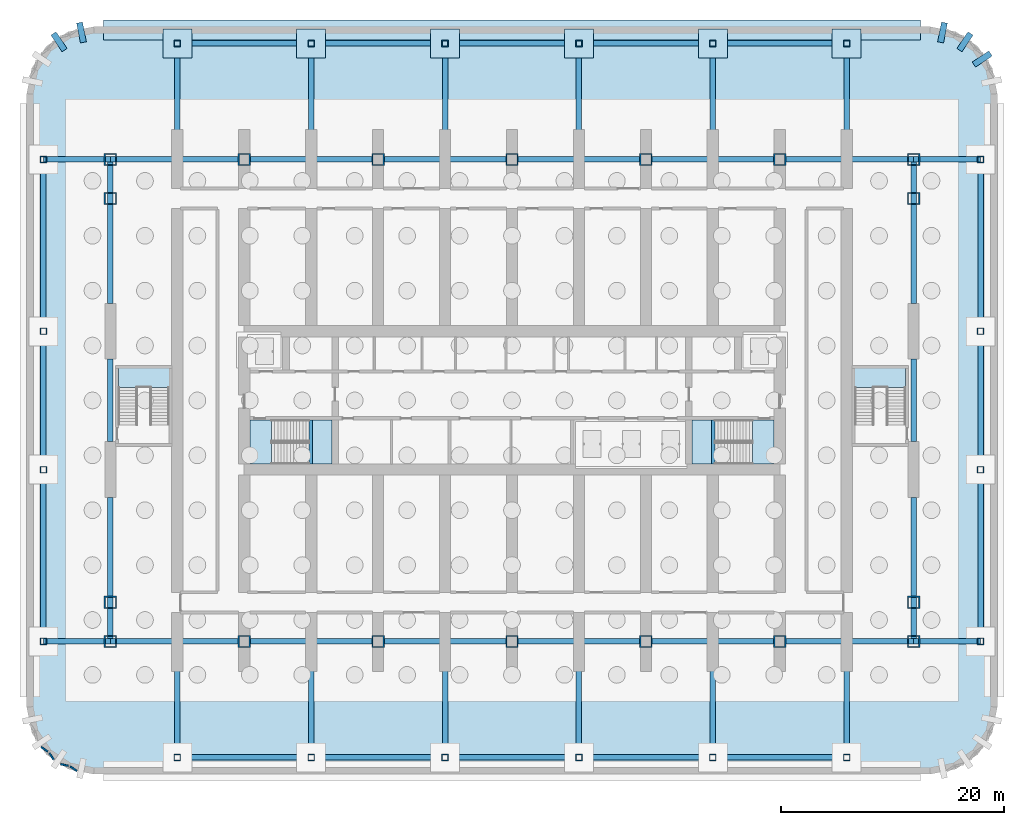
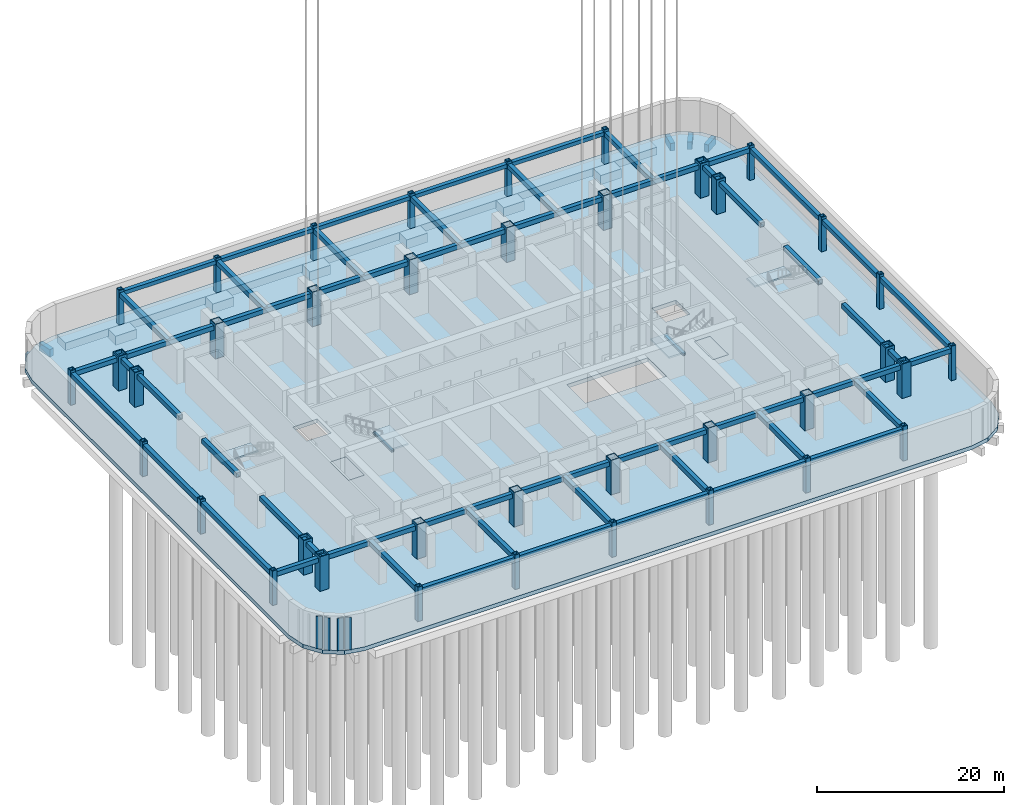
# One storey, part 2 of 28: 52 beams, 38 columns, 12 footings, 7 slabs, 4 walls, 4 elements without a shape of their own.
"""IFC4 building model written with IfcOpenShell, lengths in metres."""

from ifc_helpers import new_model, si_unit, direction, frame, frame_2d, origin, origin_2d, place, context, subcontext, project, spatial, polyline, rectangle, hollow_rectangle, outline, extrude, material, layer, layer_set, material_profile, profile_set, type_object, element, aggregate, save


model = new_model("IFC4")

# Units and contexts
model_context = context("Model", 3, precision=1e-05, world=origin(), true_north=direction((0.0, 1.0)))
body_context = subcontext(model_context, "Body", "Model", "MODEL_VIEW")
ifc_project = project(units=[si_unit("LENGTHUNIT", "METRE"), si_unit("AREAUNIT", "SQUARE_METRE"), si_unit("VOLUMEUNIT", "CUBIC_METRE"), si_unit("PLANEANGLEUNIT", "RADIAN"), si_unit("MASSUNIT", "GRAM", prefix="KILO")], contexts=[model_context])

# Site, building, storey
site_placement = place(None, origin())
site = spatial("IfcSite", under=ifc_project, at=site_placement, CompositionType="ELEMENT")
building_placement = place(site_placement, origin())
building = spatial("IfcBuilding", under=site, at=building_placement, Name="Orbita Commons", CompositionType="ELEMENT")
storey_placement = place(building_placement, frame((0.0, 0.0, -9.0)))
storey = spatial("IfcBuildingStorey", under=building, at=storey_placement, Name="L-02", CompositionType="ELEMENT", Elevation=-9.0)

# Footings
ifc_material_1 = material(Name="Concrete C40/50", Category="concrete")
footing_type_1 = type_object("IfcFootingType", Name="Pad footing 2600x2600x1200", PredefinedType="PAD_FOOTING", material=ifc_material_1)
for number, where, z_axis, x_axis, name in (
    (1, (12.0, 64.0, -1.7001953125), (0.0, 0.0, 1.0), (1.0, 0.0, 0.0), "Pad footing 2-3F"),
    (2, (24.0, 64.0, -1.7001953125), (0.0, 0.0, 1.0), (1.0, 0.0, 0.0), "Pad footing 2-5F"),
    (3, (36.0, 64.0, -1.7001953125), (0.0, 0.0, 1.0), (1.0, 0.0, 0.0), "Pad footing 2-7F"),
    (4, (48.0, 64.0, -1.7001953125), (0.0, 0.0, 1.0), (1.0, 0.0, 0.0), "Pad footing 2-9F"),
    (5, (60.0, 64.0, -1.7001953125), (0.0, 0.0, 1.0), (1.0, 0.0, 0.0), "Pad footing 2-11F"),
    (6, (72.0, 64.0, -1.7001953125), (0.0, 0.0, 1.0), (1.0, 0.0, 0.0), "Pad footing 2-13F"),
):
    element("IfcFooting", number, at=place(storey_placement, frame(where, z_axis=z_axis, x_axis=x_axis)), inside=storey, type_object=footing_type_1, Name=name, PredefinedType="PAD_FOOTING", context=body_context, shape_type="SweptSolid", body=[
        extrude(rectangle(XDim=2.60009765625, YDim=2.60009765625, at=origin_2d()), origin(), (0.0, 0.0, 1.0), 1.199951171875),
    ])
ifc_material_2 = material(Name="Concrete C40/50", Category="concrete")
footing_type_2 = type_object("IfcFootingType", Name="Strip footing 1800x1000", PredefinedType="STRIP_FOOTING", material=ifc_material_2)
footing_1_placement = place(storey_placement, frame((0.0, 0.0, -1.5)))
element("IfcFooting", 7, at=footing_1_placement, inside=storey, type_object=footing_type_2, Name="Strip footing 7", PredefinedType="STRIP_FOOTING", context=body_context, shape_type="SweptSolid", body=[
    extrude(outline(polyline([(85.042236328125, 62.877685546875), (84.741455078125, 63.32763671875), (83.244873046875, 62.32763671875), (83.54541015625, 61.877685546875), (85.042236328125, 62.877685546875)])), origin(), (0.0, 0.0, 1.0), 1.0),
])
footing_2_placement = place(storey_placement, frame((0.0, 0.0, -1.5)))
element("IfcFooting", 8, at=footing_2_placement, inside=storey, type_object=footing_type_2, Name="Strip footing 8", PredefinedType="STRIP_FOOTING", context=body_context, shape_type="SweptSolid", body=[
    extrude(outline(polyline([(83.32763671875, 64.741455078125), (82.877685546875, 65.042236328125), (81.877685546875, 63.54541015625), (82.32763671875, 63.244873046875), (83.32763671875, 64.741455078125)])), origin(), (0.0, 0.0, 1.0), 1.0),
])
footing_3_placement = place(storey_placement, frame((0.0, 0.0, -1.5)))
element("IfcFooting", 9, at=footing_3_placement, inside=storey, type_object=footing_type_2, Name="Strip footing 9", PredefinedType="STRIP_FOOTING", context=body_context, shape_type="SweptSolid", body=[
    extrude(outline(polyline([(81.030517578125, 65.807373046875), (80.499755859375, 65.912841796875), (80.148681640625, 64.1474609375), (80.67919921875, 64.0419921875), (81.030517578125, 65.807373046875)])), origin(), (0.0, 0.0, 1.0), 1.0),
])
footing_4_placement = place(storey_placement, frame((0.0, 0.0, -1.5)))
element("IfcFooting", 10, at=footing_4_placement, inside=storey, type_object=footing_type_2, Name="Strip footing 10", PredefinedType="STRIP_FOOTING", context=body_context, shape_type="SweptSolid", body=[
    extrude(outline(polyline([(78.60009765625, 66.10009765625), (5.39990234375, 66.10009765625), (5.39990234375, 64.300048828125), (78.60009765625, 64.300048828125), (78.60009765625, 66.10009765625)])), origin(), (0.0, 0.0, 1.0), 1.0),
])
footing_5_placement = place(storey_placement, frame((0.0, 0.0, -1.5)))
element("IfcFooting", 11, at=footing_5_placement, inside=storey, type_object=footing_type_2, Name="Strip footing 11", PredefinedType="STRIP_FOOTING", context=body_context, shape_type="SweptSolid", body=[
    extrude(outline(polyline([(3.500244140625, 65.912841796875), (2.969482421875, 65.807373046875), (3.32080078125, 64.0419921875), (3.851318359375, 64.1474609375), (3.500244140625, 65.912841796875)])), origin(), (0.0, 0.0, 1.0), 1.0),
])
footing_6_placement = place(storey_placement, frame((0.0, 0.0, -1.5)))
element("IfcFooting", 12, at=footing_6_placement, inside=storey, type_object=footing_type_2, Name="Strip footing 12", PredefinedType="STRIP_FOOTING", context=body_context, shape_type="SweptSolid", body=[
    extrude(outline(polyline([(1.122314453125, 65.042236328125), (0.67236328125, 64.741455078125), (1.67236328125, 63.244873046875), (2.122314453125, 63.54541015625), (1.122314453125, 65.042236328125)])), origin(), (0.0, 0.0, 1.0), 1.0),
])

# Columns
ifc_material_3 = material(Name="Steel ASTM A572 Gr 42 welded plate", Category="steel")
ifc_material_profile_1 = material_profile(ifc_material_3, hollow_rectangle(XDim=1.10009765625, YDim=1.10009765625, WallThickness=0.110107421875, at=origin_2d()), Name="BOX 1100x1100x110")
ifc_profile_set_1 = profile_set([ifc_material_profile_1], Name="Steel ASTM A572 Gr 42 welded plate")
column_type_1 = type_object("IfcColumnType", Name="Steel column BOX 1100x1100x110", PredefinedType="COLUMN", material=ifc_profile_set_1)
for number, where, z_axis, x_axis, name in (
    (13, (6.0, 10.39990234375, -0.5), (0.0, 0.0, 1.0), (1.0, 0.0, 0.0), "Column 2/B L-02"),
    (14, (6.0, 53.60009765625, -0.5), (0.0, 0.0, 1.0), (1.0, 0.0, 0.0), "Column 2/E L-02"),
    (15, (18.0, 10.39990234375, -0.5), (0.0, 0.0, 1.0), (1.0, 0.0, 0.0), "Column 4/B L-02"),
    (16, (18.0, 53.60009765625, -0.5), (0.0, 0.0, 1.0), (1.0, 0.0, 0.0), "Column 4/E L-02"),
    (17, (30.0, 10.39990234375, -0.5), (0.0, 0.0, 1.0), (1.0, 0.0, 0.0), "Column 6/B L-02"),
    (18, (30.0, 53.60009765625, -0.5), (0.0, 0.0, 1.0), (1.0, 0.0, 0.0), "Column 6/E L-02"),
    (19, (42.0, 10.39990234375, -0.5), (0.0, 0.0, 1.0), (1.0, 0.0, 0.0), "Column 8/B L-02"),
    (20, (42.0, 53.60009765625, -0.5), (0.0, 0.0, 1.0), (1.0, 0.0, 0.0), "Column 8/E L-02"),
    (21, (54.0, 10.39990234375, -0.5), (0.0, 0.0, 1.0), (1.0, 0.0, 0.0), "Column 10/B L-02"),
    (22, (54.0, 53.60009765625, -0.5), (0.0, 0.0, 1.0), (1.0, 0.0, 0.0), "Column 10/E L-02"),
    (23, (66.0, 10.39990234375, -0.5), (0.0, 0.0, 1.0), (1.0, 0.0, 0.0), "Column 12/B L-02"),
    (24, (66.0, 53.60009765625, -0.5), (0.0, 0.0, 1.0), (1.0, 0.0, 0.0), "Column 12/E L-02"),
    (25, (78.0, 10.39990234375, -0.5), (0.0, 0.0, 1.0), (1.0, 0.0, 0.0), "Column 14/B L-02"),
    (26, (78.0, 53.60009765625, -0.5), (0.0, 0.0, 1.0), (1.0, 0.0, 0.0), "Column 14/E L-02"),
    (27, (6.0, 13.89990234375, -0.5), (0.0, 0.0, 1.0), (1.0, 0.0, 0.0), "Column 2/13.9 L-02"),
    (28, (6.0, 50.10009765625, -0.5), (0.0, 0.0, 1.0), (1.0, 0.0, 0.0), "Column 2/50.1 L-02"),
    (29, (78.0, 13.89990234375, -0.5), (0.0, 0.0, 1.0), (1.0, 0.0, 0.0), "Column 14/13.9 L-02"),
    (30, (78.0, 50.10009765625, -0.5), (0.0, 0.0, 1.0), (1.0, 0.0, 0.0), "Column 14/50.1 L-02"),
):
    element("IfcColumn", number, at=place(storey_placement, frame(where, z_axis=z_axis, x_axis=x_axis)), inside=storey, type_object=column_type_1, Name=name, PredefinedType="COLUMN", context=body_context, shape_type="SweptSolid", body=[
        extrude(hollow_rectangle(XDim=1.10009765625, YDim=1.10009765625, WallThickness=0.110107421875, at=origin_2d()), origin(), (0.0, 0.0, 1.0), 5.0),
    ])
ifc_material_4 = material(Name="Steel ASTM A572 Gr 50 welded plate", Category="steel")
ifc_material_profile_2 = material_profile(ifc_material_4, hollow_rectangle(XDim=0.60009765625, YDim=0.60009765625, WallThickness=0.06005859375, at=origin_2d()), Name="BOX 600x600x60")
ifc_profile_set_2 = profile_set([ifc_material_profile_2], Name="Steel ASTM A572 Gr 50 welded plate")
column_type_2 = type_object("IfcColumnType", Name="Steel column BOX 600x600x60", PredefinedType="COLUMN", material=ifc_profile_set_2)
for number, where, z_axis, x_axis, name in (
    (31, (12.0, 0.0, -0.5), (0.0, 0.0, 1.0), (1.0, 0.0, 0.0), "Column 3/A L-02"),
    (32, (12.0, 64.0, -0.5), (0.0, 0.0, 1.0), (1.0, 0.0, 0.0), "Column 3/F L-02"),
    (33, (24.0, 0.0, -0.5), (0.0, 0.0, 1.0), (1.0, 0.0, 0.0), "Column 5/A L-02"),
    (34, (24.0, 64.0, -0.5), (0.0, 0.0, 1.0), (1.0, 0.0, 0.0), "Column 5/F L-02"),
    (35, (36.0, 0.0, -0.5), (0.0, 0.0, 1.0), (1.0, 0.0, 0.0), "Column 7/A L-02"),
    (36, (36.0, 64.0, -0.5), (0.0, 0.0, 1.0), (1.0, 0.0, 0.0), "Column 7/F L-02"),
    (37, (48.0, 0.0, -0.5), (0.0, 0.0, 1.0), (1.0, 0.0, 0.0), "Column 9/A L-02"),
    (38, (48.0, 64.0, -0.5), (0.0, 0.0, 1.0), (1.0, 0.0, 0.0), "Column 9/F L-02"),
    (39, (60.0, 0.0, -0.5), (0.0, 0.0, 1.0), (1.0, 0.0, 0.0), "Column 11/A L-02"),
    (40, (60.0, 64.0, -0.5), (0.0, 0.0, 1.0), (1.0, 0.0, 0.0), "Column 11/F L-02"),
    (41, (72.0, 0.0, -0.5), (0.0, 0.0, 1.0), (1.0, 0.0, 0.0), "Column 13/A L-02"),
    (42, (72.0, 64.0, -0.5), (0.0, 0.0, 1.0), (1.0, 0.0, 0.0), "Column 13/F L-02"),
    (43, (0.0, 10.39990234375, -0.5), (0.0, 0.0, 1.0), (1.0, 0.0, 0.0), "Column 1/B L-02"),
    (44, (0.0, 25.800048828125, -0.5), (0.0, 0.0, 1.0), (1.0, 0.0, 0.0), "Column 1/C L-02"),
    (45, (0.0, 38.199951171875, -0.5), (0.0, 0.0, 1.0), (1.0, 0.0, 0.0), "Column 1/D L-02"),
    (46, (0.0, 53.60009765625, -0.5), (0.0, 0.0, 1.0), (1.0, 0.0, 0.0), "Column 1/E L-02"),
    (47, (84.0, 10.39990234375, -0.5), (0.0, 0.0, 1.0), (1.0, 0.0, 0.0), "Column 15/B L-02"),
    (48, (84.0, 25.800048828125, -0.5), (0.0, 0.0, 1.0), (1.0, 0.0, 0.0), "Column 15/C L-02"),
    (49, (84.0, 38.199951171875, -0.5), (0.0, 0.0, 1.0), (1.0, 0.0, 0.0), "Column 15/D L-02"),
    (50, (84.0, 53.60009765625, -0.5), (0.0, 0.0, 1.0), (1.0, 0.0, 0.0), "Column 15/E L-02"),
):
    element("IfcColumn", number, at=place(storey_placement, frame(where, z_axis=z_axis, x_axis=x_axis)), inside=storey, type_object=column_type_2, Name=name, PredefinedType="COLUMN", context=body_context, shape_type="SweptSolid", body=[
        extrude(hollow_rectangle(XDim=0.60009765625, YDim=0.60009765625, WallThickness=0.06005859375, at=origin_2d()), origin(), (0.0, 0.0, 1.0), 5.0),
    ])

# Beams
ifc_material_5 = material(Name="Steel ASTM A572 Gr 50 welded plate", Category="steel")
ifc_material_profile_3 = material_profile(ifc_material_5, hollow_rectangle(XDim=0.300048828125, YDim=0.25, WallThickness=0.02490234375, at=origin_2d()), Name="BOX 250x300x25")
ifc_profile_set_3 = profile_set([ifc_material_profile_3], Name="Steel ASTM A572 Gr 50 welded plate")
beam_type_1 = type_object("IfcBeamType", Name="Stair landing beam steel BOX 250x300x25", PredefinedType="BEAM", material=ifc_profile_set_3)
for number, where, z_axis, x_axis, name in (
    (51, (23.9599609375, 26.284912109375, 1.925048828125), (0.0, 1.0, 0.0), (-1.0, 0.0, 0.0), "Stair S1 landing beam L-02 1"),
    (52, (60.0400390625, 26.284912109375, 1.925048828125), (0.0, 1.0, 0.0), (-1.0, 0.0, 0.0), "Stair S2 landing beam L-02 1"),
):
    element("IfcBeam", number, at=place(storey_placement, frame(where, z_axis=z_axis, x_axis=x_axis)), inside=storey, type_object=beam_type_1, Name=name, PredefinedType="BEAM", context=body_context, shape_type="SweptSolid", body=[
        extrude(hollow_rectangle(XDim=0.300048828125, YDim=0.25, WallThickness=0.02490234375, at=origin_2d()), origin(), (0.0, 0.0, 1.0), 3.97998046875),
    ])
ifc_material_6 = material(Name="Steel ASTM A572 Gr 50 welded plate", Category="steel")
ifc_material_profile_4 = material_profile(ifc_material_6, hollow_rectangle(XDim=0.5, YDim=0.5, WallThickness=0.050048828125, at=origin_2d()), Name="BOX 500x500x50")
ifc_profile_set_4 = profile_set([ifc_material_profile_4], Name="Steel ASTM A572 Gr 50 welded plate")
beam_type_2 = type_object("IfcBeamType", Name="Steel edge beam BOX 500x500x50", PredefinedType="SPANDREL", material=ifc_profile_set_4)
for number, where, z_axis, x_axis, name in (
    (53, (12.0, 0.0, 3.949951171875), (1.0, 0.0, 0.0), (0.0, 1.0, 0.0), "Edge beam A 3-5 L-02"),
    (54, (24.0, 0.0, 3.949951171875), (1.0, 0.0, 0.0), (0.0, 1.0, 0.0), "Edge beam A 5-7 L-02"),
    (55, (36.0, 0.0, 3.949951171875), (1.0, 0.0, 0.0), (0.0, 1.0, 0.0), "Edge beam A 7-9 L-02"),
    (56, (48.0, 0.0, 3.949951171875), (1.0, 0.0, 0.0), (0.0, 1.0, 0.0), "Edge beam A 9-11 L-02"),
    (57, (60.0, 0.0, 3.949951171875), (1.0, 0.0, 0.0), (0.0, 1.0, 0.0), "Edge beam A 11-13 L-02"),
    (58, (12.0, 64.0, 3.949951171875), (1.0, 0.0, 0.0), (0.0, 1.0, 0.0), "Edge beam F 3-5 L-02"),
    (59, (24.0, 64.0, 3.949951171875), (1.0, 0.0, 0.0), (0.0, 1.0, 0.0), "Edge beam F 5-7 L-02"),
    (60, (36.0, 64.0, 3.949951171875), (1.0, 0.0, 0.0), (0.0, 1.0, 0.0), "Edge beam F 7-9 L-02"),
    (61, (48.0, 64.0, 3.949951171875), (1.0, 0.0, 0.0), (0.0, 1.0, 0.0), "Edge beam F 9-11 L-02"),
    (62, (60.0, 64.0, 3.949951171875), (1.0, 0.0, 0.0), (0.0, 1.0, 0.0), "Edge beam F 11-13 L-02"),
):
    element("IfcBeam", number, at=place(storey_placement, frame(where, z_axis=z_axis, x_axis=x_axis)), inside=storey, type_object=beam_type_2, Name=name, PredefinedType="SPANDREL", context=body_context, shape_type="SweptSolid", body=[
        extrude(hollow_rectangle(XDim=0.5, YDim=0.5, WallThickness=0.050048828125, at=origin_2d()), origin(), (0.0, 0.0, 1.0), 12.0),
    ])
ifc_material_7 = material(Name="Steel ASTM A572 Gr 50 welded plate", Category="steel")
ifc_material_profile_5 = material_profile(ifc_material_7, hollow_rectangle(XDim=0.5, YDim=0.60009765625, WallThickness=0.050048828125, at=origin_2d()), Name="BOX 600x500x50")
ifc_profile_set_5 = profile_set([ifc_material_profile_5], Name="Steel ASTM A572 Gr 50 welded plate")
beam_type_3 = type_object("IfcBeamType", Name="Steel podium beam BOX 600x500x50", PredefinedType="BEAM", material=ifc_profile_set_5)
beam_1_placement = place(storey_placement, frame((0.0, 10.39990234375, 3.89990234375), z_axis=(1.0, 0.0, 0.0), x_axis=(0.0, 1.0, 0.0)))
element("IfcBeam", 63, at=beam_1_placement, inside=storey, type_object=beam_type_3, Name="Podium beam B 1-2 L-02", PredefinedType="BEAM", context=body_context, shape_type="SweptSolid", body=[
    extrude(hollow_rectangle(XDim=0.5, YDim=0.60009765625, WallThickness=0.050048828125, at=origin_2d()), origin(), (0.0, 0.0, 1.0), 6.0),
])
for number, where, z_axis, x_axis, name in (
    (64, (6.0, 10.39990234375, 3.89990234375), (1.0, 0.0, 0.0), (0.0, 1.0, 0.0), "Podium beam B 2-4 L-02"),
    (65, (18.0, 10.39990234375, 3.89990234375), (1.0, 0.0, 0.0), (0.0, 1.0, 0.0), "Podium beam B 4-6 L-02"),
    (66, (30.0, 10.39990234375, 3.89990234375), (1.0, 0.0, 0.0), (0.0, 1.0, 0.0), "Podium beam B 6-8 L-02"),
    (67, (42.0, 10.39990234375, 3.89990234375), (1.0, 0.0, 0.0), (0.0, 1.0, 0.0), "Podium beam B 8-10 L-02"),
    (68, (54.0, 10.39990234375, 3.89990234375), (1.0, 0.0, 0.0), (0.0, 1.0, 0.0), "Podium beam B 10-12 L-02"),
    (69, (66.0, 10.39990234375, 3.89990234375), (1.0, 0.0, 0.0), (0.0, 1.0, 0.0), "Podium beam B 12-14 L-02"),
):
    element("IfcBeam", number, at=place(storey_placement, frame(where, z_axis=z_axis, x_axis=x_axis)), inside=storey, type_object=beam_type_3, Name=name, PredefinedType="BEAM", context=body_context, shape_type="SweptSolid", body=[
        extrude(hollow_rectangle(XDim=0.5, YDim=0.60009765625, WallThickness=0.050048828125, at=origin_2d()), origin(), (0.0, 0.0, 1.0), 12.0),
    ])
for number, where, z_axis, x_axis, name in (
    (70, (78.0, 10.39990234375, 3.89990234375), (1.0, 0.0, 0.0), (0.0, 1.0, 0.0), "Podium beam B 14-15 L-02"),
    (71, (0.0, 53.60009765625, 3.89990234375), (1.0, 0.0, 0.0), (0.0, 1.0, 0.0), "Podium beam E 1-2 L-02"),
):
    element("IfcBeam", number, at=place(storey_placement, frame(where, z_axis=z_axis, x_axis=x_axis)), inside=storey, type_object=beam_type_3, Name=name, PredefinedType="BEAM", context=body_context, shape_type="SweptSolid", body=[
        extrude(hollow_rectangle(XDim=0.5, YDim=0.60009765625, WallThickness=0.050048828125, at=origin_2d()), origin(), (0.0, 0.0, 1.0), 6.0),
    ])
for number, where, z_axis, x_axis, name in (
    (72, (6.0, 53.60009765625, 3.89990234375), (1.0, 0.0, 0.0), (0.0, 1.0, 0.0), "Podium beam E 2-4 L-02"),
    (73, (18.0, 53.60009765625, 3.89990234375), (1.0, 0.0, 0.0), (0.0, 1.0, 0.0), "Podium beam E 4-6 L-02"),
    (74, (30.0, 53.60009765625, 3.89990234375), (1.0, 0.0, 0.0), (0.0, 1.0, 0.0), "Podium beam E 6-8 L-02"),
    (75, (42.0, 53.60009765625, 3.89990234375), (1.0, 0.0, 0.0), (0.0, 1.0, 0.0), "Podium beam E 8-10 L-02"),
    (76, (54.0, 53.60009765625, 3.89990234375), (1.0, 0.0, 0.0), (0.0, 1.0, 0.0), "Podium beam E 10-12 L-02"),
    (77, (66.0, 53.60009765625, 3.89990234375), (1.0, 0.0, 0.0), (0.0, 1.0, 0.0), "Podium beam E 12-14 L-02"),
):
    element("IfcBeam", number, at=place(storey_placement, frame(where, z_axis=z_axis, x_axis=x_axis)), inside=storey, type_object=beam_type_3, Name=name, PredefinedType="BEAM", context=body_context, shape_type="SweptSolid", body=[
        extrude(hollow_rectangle(XDim=0.5, YDim=0.60009765625, WallThickness=0.050048828125, at=origin_2d()), origin(), (0.0, 0.0, 1.0), 12.0),
    ])
beam_2_placement = place(storey_placement, frame((78.0, 53.60009765625, 3.89990234375), z_axis=(1.0, 0.0, 0.0), x_axis=(0.0, 1.0, 0.0)))
element("IfcBeam", 78, at=beam_2_placement, inside=storey, type_object=beam_type_3, Name="Podium beam E 14-15 L-02", PredefinedType="BEAM", context=body_context, shape_type="SweptSolid", body=[
    extrude(hollow_rectangle(XDim=0.5, YDim=0.60009765625, WallThickness=0.050048828125, at=origin_2d()), origin(), (0.0, 0.0, 1.0), 6.0),
])
for number, where, z_axis, x_axis, name in (
    (79, (12.0, 0.0, 3.89990234375), (0.0, 1.0, 0.0), (-1.0, 0.0, 0.0), "Podium beam 3 A-B L-02"),
    (80, (12.0, 53.60009765625, 3.89990234375), (0.0, 1.0, 0.0), (-1.0, 0.0, 0.0), "Podium beam 3 E-F L-02"),
    (81, (24.0, 0.0, 3.89990234375), (0.0, 1.0, 0.0), (-1.0, 0.0, 0.0), "Podium beam 5 A-B L-02"),
    (82, (24.0, 53.60009765625, 3.89990234375), (0.0, 1.0, 0.0), (-1.0, 0.0, 0.0), "Podium beam 5 E-F L-02"),
    (83, (36.0, 0.0, 3.89990234375), (0.0, 1.0, 0.0), (-1.0, 0.0, 0.0), "Podium beam 7 A-B L-02"),
    (84, (36.0, 53.60009765625, 3.89990234375), (0.0, 1.0, 0.0), (-1.0, 0.0, 0.0), "Podium beam 7 E-F L-02"),
    (85, (48.0, 0.0, 3.89990234375), (0.0, 1.0, 0.0), (-1.0, 0.0, 0.0), "Podium beam 9 A-B L-02"),
    (86, (48.0, 53.60009765625, 3.89990234375), (0.0, 1.0, 0.0), (-1.0, 0.0, 0.0), "Podium beam 9 E-F L-02"),
    (87, (60.0, 0.0, 3.89990234375), (0.0, 1.0, 0.0), (-1.0, 0.0, 0.0), "Podium beam 11 A-B L-02"),
    (88, (60.0, 53.60009765625, 3.89990234375), (0.0, 1.0, 0.0), (-1.0, 0.0, 0.0), "Podium beam 11 E-F L-02"),
    (89, (72.0, 0.0, 3.89990234375), (0.0, 1.0, 0.0), (-1.0, 0.0, 0.0), "Podium beam 13 A-B L-02"),
    (90, (72.0, 53.60009765625, 3.89990234375), (0.0, 1.0, 0.0), (-1.0, 0.0, 0.0), "Podium beam 13 E-F L-02"),
):
    element("IfcBeam", number, at=place(storey_placement, frame(where, z_axis=z_axis, x_axis=x_axis)), inside=storey, type_object=beam_type_3, Name=name, PredefinedType="BEAM", context=body_context, shape_type="SweptSolid", body=[
        extrude(hollow_rectangle(XDim=0.5, YDim=0.60009765625, WallThickness=0.050048828125, at=origin_2d()), origin(), (0.0, 0.0, 1.0), 10.39990234375),
    ])
beam_3_placement = place(storey_placement, frame((0.0, 10.39990234375, 3.89990234375), z_axis=(0.0, 1.0, 0.0), x_axis=(-1.0, 0.0, 0.0)))
element("IfcBeam", 91, at=beam_3_placement, inside=storey, type_object=beam_type_3, Name="Podium beam 1 B-C L-02", PredefinedType="BEAM", context=body_context, shape_type="SweptSolid", body=[
    extrude(hollow_rectangle(XDim=0.5, YDim=0.60009765625, WallThickness=0.050048828125, at=origin_2d()), origin(), (0.0, 0.0, 1.0), 15.400146484375),
])
beam_4_placement = place(storey_placement, frame((0.0, 25.800048828125, 3.89990234375), z_axis=(0.0, 1.0, 0.0), x_axis=(-1.0, 0.0, 0.0)))
element("IfcBeam", 92, at=beam_4_placement, inside=storey, type_object=beam_type_3, Name="Podium beam 1 C-D L-02", PredefinedType="BEAM", context=body_context, shape_type="SweptSolid", body=[
    extrude(hollow_rectangle(XDim=0.5, YDim=0.60009765625, WallThickness=0.050048828125, at=origin_2d()), origin(), (0.0, 0.0, 1.0), 12.39990234375),
])
for number, where, z_axis, x_axis, name in (
    (93, (0.0, 38.199951171875, 3.89990234375), (0.0, 1.0, 0.0), (-1.0, 0.0, 0.0), "Podium beam 1 D-E L-02"),
    (94, (84.0, 10.39990234375, 3.89990234375), (0.0, 1.0, 0.0), (-1.0, 0.0, 0.0), "Podium beam 15 B-C L-02"),
):
    element("IfcBeam", number, at=place(storey_placement, frame(where, z_axis=z_axis, x_axis=x_axis)), inside=storey, type_object=beam_type_3, Name=name, PredefinedType="BEAM", context=body_context, shape_type="SweptSolid", body=[
        extrude(hollow_rectangle(XDim=0.5, YDim=0.60009765625, WallThickness=0.050048828125, at=origin_2d()), origin(), (0.0, 0.0, 1.0), 15.400146484375),
    ])
beam_5_placement = place(storey_placement, frame((84.0, 25.800048828125, 3.89990234375), z_axis=(0.0, 1.0, 0.0), x_axis=(-1.0, 0.0, 0.0)))
element("IfcBeam", 95, at=beam_5_placement, inside=storey, type_object=beam_type_3, Name="Podium beam 15 C-D L-02", PredefinedType="BEAM", context=body_context, shape_type="SweptSolid", body=[
    extrude(hollow_rectangle(XDim=0.5, YDim=0.60009765625, WallThickness=0.050048828125, at=origin_2d()), origin(), (0.0, 0.0, 1.0), 12.39990234375),
])
beam_6_placement = place(storey_placement, frame((84.0, 38.199951171875, 3.89990234375), z_axis=(0.0, 1.0, 0.0), x_axis=(-1.0, 0.0, 0.0)))
element("IfcBeam", 96, at=beam_6_placement, inside=storey, type_object=beam_type_3, Name="Podium beam 15 D-E L-02", PredefinedType="BEAM", context=body_context, shape_type="SweptSolid", body=[
    extrude(hollow_rectangle(XDim=0.5, YDim=0.60009765625, WallThickness=0.050048828125, at=origin_2d()), origin(), (0.0, 0.0, 1.0), 15.400146484375),
])
beam_7_placement = place(storey_placement, frame((6.0, 10.39990234375, 3.89990234375), z_axis=(0.0, 1.0, 0.0), x_axis=(-1.0, 0.0, 0.0)))
element("IfcBeam", 97, at=beam_7_placement, inside=storey, type_object=beam_type_3, Name="Podium beam 2 B-C L-02", PredefinedType="BEAM", context=body_context, shape_type="SweptSolid", body=[
    extrude(hollow_rectangle(XDim=0.5, YDim=0.60009765625, WallThickness=0.050048828125, at=origin_2d()), origin(), (0.0, 0.0, 1.0), 12.900146484375),
])
beam_8_placement = place(storey_placement, frame((6.0, 28.300048828125, 3.89990234375), z_axis=(0.0, 1.0, 0.0), x_axis=(-1.0, 0.0, 0.0)))
element("IfcBeam", 98, at=beam_8_placement, inside=storey, type_object=beam_type_3, Name="Podium beam 2 C-D L-02", PredefinedType="BEAM", context=body_context, shape_type="SweptSolid", body=[
    extrude(hollow_rectangle(XDim=0.5, YDim=0.60009765625, WallThickness=0.050048828125, at=origin_2d()), origin(), (0.0, 0.0, 1.0), 7.39990234375),
])
for number, where, z_axis, x_axis, name in (
    (99, (6.0, 40.699951171875, 3.89990234375), (0.0, 1.0, 0.0), (-1.0, 0.0, 0.0), "Podium beam 2 D-E L-02"),
    (100, (78.0, 10.39990234375, 3.89990234375), (0.0, 1.0, 0.0), (-1.0, 0.0, 0.0), "Podium beam 14 B-C L-02"),
):
    element("IfcBeam", number, at=place(storey_placement, frame(where, z_axis=z_axis, x_axis=x_axis)), inside=storey, type_object=beam_type_3, Name=name, PredefinedType="BEAM", context=body_context, shape_type="SweptSolid", body=[
        extrude(hollow_rectangle(XDim=0.5, YDim=0.60009765625, WallThickness=0.050048828125, at=origin_2d()), origin(), (0.0, 0.0, 1.0), 12.900146484375),
    ])
beam_9_placement = place(storey_placement, frame((78.0, 28.300048828125, 3.89990234375), z_axis=(0.0, 1.0, 0.0), x_axis=(-1.0, 0.0, 0.0)))
element("IfcBeam", 101, at=beam_9_placement, inside=storey, type_object=beam_type_3, Name="Podium beam 14 C-D L-02", PredefinedType="BEAM", context=body_context, shape_type="SweptSolid", body=[
    extrude(hollow_rectangle(XDim=0.5, YDim=0.60009765625, WallThickness=0.050048828125, at=origin_2d()), origin(), (0.0, 0.0, 1.0), 7.39990234375),
])
beam_10_placement = place(storey_placement, frame((78.0, 40.699951171875, 3.89990234375), z_axis=(0.0, 1.0, 0.0), x_axis=(-1.0, 0.0, 0.0)))
element("IfcBeam", 102, at=beam_10_placement, inside=storey, type_object=beam_type_3, Name="Podium beam 14 D-E L-02", PredefinedType="BEAM", context=body_context, shape_type="SweptSolid", body=[
    extrude(hollow_rectangle(XDim=0.5, YDim=0.60009765625, WallThickness=0.050048828125, at=origin_2d()), origin(), (0.0, 0.0, 1.0), 12.900146484375),
])

# Slab
ifc_material_8 = material(Name="Concrete C40/50", Category="concrete")
ifc_layer_1 = layer(ifc_material_8, 0.5)
ifc_layer_set_1 = layer_set([ifc_layer_1], Name="Concrete C40/50")
slab_type_1 = type_object("IfcSlabType", Name="Basement slab 500", PredefinedType="BASESLAB", material=ifc_layer_set_1)
slab_1_placement = place(storey_placement, frame((0.0, 0.0, -0.5)))
element("IfcSlab", 103, at=slab_1_placement, inside=storey, type_object=slab_type_1, Name="Basement slab L-02", PredefinedType="BASESLAB", context=body_context, shape_type="SweptSolid", body=[
    extrude(outline(polyline([(79.5, -1.5), (81.796142578125, -1.043212890625), (83.74267578125, 0.25732421875), (85.043212890625, 2.203857421875), (85.5, 4.5), (85.5, 59.5), (85.043212890625, 61.796142578125), (83.74267578125, 63.74267578125), (81.796142578125, 65.043212890625), (79.5, 65.5), (4.5, 65.5), (2.203857421875, 65.043212890625), (0.25732421875, 63.74267578125), (-1.043212890625, 61.796142578125), (-1.5, 59.5), (-1.5, 4.5), (-1.043212890625, 2.203857421875), (0.25732421875, 0.25732421875), (2.203857421875, -1.043212890625), (4.5, -1.5), (79.5, -1.5)]), holes=[polyline([(47.699951171875, 26.10009765625), (57.699951171875, 26.10009765625), (57.699951171875, 30.10009765625), (47.699951171875, 30.10009765625), (47.699951171875, 26.10009765625)]), polyline([(18.300048828125, 34.89990234375), (21.300048828125, 34.89990234375), (21.300048828125, 37.89990234375), (18.300048828125, 37.89990234375), (18.300048828125, 34.89990234375)]), polyline([(62.699951171875, 34.89990234375), (65.699951171875, 34.89990234375), (65.699951171875, 37.89990234375), (62.699951171875, 37.89990234375), (62.699951171875, 34.89990234375)]), polyline([(18.5, 26.300048828125), (20.449951171875, 26.300048828125), (20.449951171875, 30.25), (18.5, 30.25), (18.5, 26.300048828125)]), polyline([(63.550048828125, 26.300048828125), (65.5, 26.300048828125), (65.5, 30.25), (63.550048828125, 30.25), (63.550048828125, 26.300048828125)])]), origin(), (0.0, 0.0, 1.0), 0.5),
])

# Stair, slabs
ifc_material_9 = material(Name="Precast concrete C40/50", Category="concrete")
stair_type_1 = type_object("IfcStairType", Name="Exit stair S1 2 flights 13 risers 173", PredefinedType="HALF_TURN_STAIR", material=ifc_material_9)
stair_1_placement = place(storey_placement, origin())
stair_1 = element("IfcStair", 104, at=stair_1_placement, inside=storey, type_object=stair_type_1, Name="Exit stair S1 L-02", PredefinedType="HALF_TURN_STAIR")
ifc_material_10 = material(Name="Concrete C40/50", Category="concrete")
ifc_layer_2 = layer(ifc_material_10, 0.199951171875)
ifc_layer_set_2 = layer_set([ifc_layer_2], Name="Concrete C40/50")
slab_type_2 = type_object("IfcSlabType", Name="Stair landing 200", PredefinedType="LANDING", material=ifc_layer_set_2)
slab_2_placement = place(storey_placement, frame((0.0, 0.0, -0.199951171875)))
slab_2 = element("IfcSlab", 105, at=slab_2_placement, type_object=slab_type_2, Name="S1 landing 1", PredefinedType="LANDING", context=body_context, shape_type="SweptSolid", body=[
    extrude(outline(polyline([(18.5, 26.300048828125), (20.449951171875, 26.300048828125), (20.449951171875, 30.25), (18.5, 30.25), (18.5, 26.300048828125)])), origin(), (0.0, 0.0, 1.0), 0.199951171875),
])
slab_3_placement = place(storey_placement, frame((0.0, 0.0, 2.050048828125)))
slab_3 = element("IfcSlab", 106, at=slab_3_placement, type_object=slab_type_2, Name="S1 landing 2", PredefinedType="LANDING", context=body_context, shape_type="SweptSolid", body=[
    extrude(outline(polyline([(23.81005859375, 26.284912109375), (25.864990234375, 26.284912109375), (25.864990234375, 30.264892578125), (23.81005859375, 30.264892578125), (23.81005859375, 26.284912109375)])), origin(), (0.0, 0.0, 1.0), 0.199951171875),
])
aggregate(stair_1, [slab_2, slab_3])

ifc_material_11 = material(Name="Precast concrete C40/50", Category="concrete")
stair_type_2 = type_object("IfcStairType", Name="Exit stair S2 2 flights 13 risers 173", PredefinedType="HALF_TURN_STAIR", material=ifc_material_11)
stair_2_placement = place(storey_placement, origin())
stair_2 = element("IfcStair", 107, at=stair_2_placement, inside=storey, type_object=stair_type_2, Name="Exit stair S2 L-02", PredefinedType="HALF_TURN_STAIR")
slab_4_placement = place(storey_placement, frame((0.0, 0.0, -0.199951171875)))
slab_4 = element("IfcSlab", 108, at=slab_4_placement, type_object=slab_type_2, Name="S2 landing 1", PredefinedType="LANDING", context=body_context, shape_type="SweptSolid", body=[
    extrude(outline(polyline([(63.550048828125, 26.300048828125), (65.5, 26.300048828125), (65.5, 30.25), (63.550048828125, 30.25), (63.550048828125, 26.300048828125)])), origin(), (0.0, 0.0, 1.0), 0.199951171875),
])
slab_5_placement = place(storey_placement, frame((0.0, 0.0, 2.050048828125)))
slab_5 = element("IfcSlab", 109, at=slab_5_placement, type_object=slab_type_2, Name="S2 landing 2", PredefinedType="LANDING", context=body_context, shape_type="SweptSolid", body=[
    extrude(outline(polyline([(58.135009765625, 26.284912109375), (60.18994140625, 26.284912109375), (60.18994140625, 30.264892578125), (58.135009765625, 30.264892578125), (58.135009765625, 26.284912109375)])), origin(), (0.0, 0.0, 1.0), 0.199951171875),
])
aggregate(stair_2, [slab_4, slab_5])

# Stair, slab
ifc_material_12 = material(Name="Precast concrete C40/50", Category="concrete")
stair_type_3 = type_object("IfcStairType", Name="Podium exit stair 2 flights 13 risers 173", PredefinedType="HALF_TURN_STAIR", material=ifc_material_12)
stair_3_placement = place(storey_placement, origin())
stair_3 = element("IfcStair", 110, at=stair_3_placement, inside=storey, type_object=stair_type_3, Name="Podium exit stair PS1 L-02", PredefinedType="HALF_TURN_STAIR")
slab_6_placement = place(storey_placement, frame((0.0, 0.0, 2.050048828125)))
slab_6 = element("IfcSlab", 111, at=slab_6_placement, type_object=slab_type_2, Name="PS1 landing 1", PredefinedType="LANDING", context=body_context, shape_type="SweptSolid", body=[
    extrude(outline(polyline([(6.7099609375, 33.179931640625), (11.2900390625, 33.179931640625), (11.2900390625, 34.889892578125), (6.7099609375, 34.889892578125), (6.7099609375, 33.179931640625)])), origin(), (0.0, 0.0, 1.0), 0.199951171875),
])
aggregate(stair_3, [slab_6])

stair_4_placement = place(storey_placement, origin())
stair_4 = element("IfcStair", 112, at=stair_4_placement, inside=storey, type_object=stair_type_3, Name="Podium exit stair PS2 L-02", PredefinedType="HALF_TURN_STAIR")
slab_7_placement = place(storey_placement, frame((0.0, 0.0, 2.050048828125)))
slab_7 = element("IfcSlab", 113, at=slab_7_placement, type_object=slab_type_2, Name="PS2 landing 1", PredefinedType="LANDING", context=body_context, shape_type="SweptSolid", body=[
    extrude(outline(polyline([(72.7099609375, 33.179931640625), (77.2900390625, 33.179931640625), (77.2900390625, 34.889892578125), (72.7099609375, 34.889892578125), (72.7099609375, 33.179931640625)])), origin(), (0.0, 0.0, 1.0), 0.199951171875),
])
aggregate(stair_4, [slab_7])

# Walls
ifc_material_13 = material(Name="Gypsum plasterboard on steel studs", Category="steel")
ifc_layer_3 = layer(ifc_material_13, 0.14990234375)
ifc_layer_set_3 = layer_set([ifc_layer_3], Name="Gypsum plasterboard on steel studs")
wall_type = type_object("IfcWallType", Name="Partition 150 plasterboard", PredefinedType="PARTITIONING", material=ifc_layer_set_3)
for number, where, z_axis, x_axis, name in (
    (114, (0.529296875, 0.390380859375, 0.0), (0.0, 0.0, 1.0), (0.555660345797, -0.831409393806, 0.0), "Partition 150 plasterboard L-02"),
    (115, (0.390380859375, 0.529296875, 0.0), (0.0, 0.0, 1.0), (-0.831409393806, 0.555660345797, 0.0), "Partition 150 plasterboard L-02"),
):
    element("IfcWall", number, at=place(storey_placement, frame(where, z_axis=z_axis, x_axis=x_axis)), inside=storey, type_object=wall_type, Name=name, PredefinedType="PARTITIONING", context=body_context, shape_type="SweptSolid", body=[
        extrude(rectangle(XDim=0.703857421875, YDim=0.14990234375, at=frame_2d((0.35205078125, 0.0))), origin(), (0.0, 0.0, 1.0), 4.199951171875),
    ])
wall_1_placement = place(storey_placement, frame((2.404052734375, -0.816162109375, 0.0), z_axis=(0.0, 0.0, 1.0), x_axis=(0.831516441635, -0.555500141576, 0.0)))
element("IfcWall", 116, at=wall_1_placement, inside=storey, type_object=wall_type, Name="Partition 150 plasterboard L-02", PredefinedType="PARTITIONING", context=body_context, shape_type="SweptSolid", body=[
    extrude(rectangle(XDim=0.7041015625, YDim=0.14990234375, at=frame_2d((0.35205078125, 0.0))), origin(), (0.0, 0.0, 1.0), 4.199951171875),
])
wall_2_placement = place(storey_placement, frame((2.222900390625, -0.7412109375, 0.0), z_axis=(0.0, 0.0, 1.0), x_axis=(-0.980753692983, 0.195249055569, 0.0)))
element("IfcWall", 117, at=wall_2_placement, inside=storey, type_object=wall_type, Name="Partition 150 plasterboard L-02", PredefinedType="PARTITIONING", context=body_context, shape_type="SweptSolid", body=[
    extrude(rectangle(XDim=0.703857421875, YDim=0.14990234375, at=frame_2d((0.35205078125, 0.0))), origin(), (0.0, 0.0, 1.0), 4.199951171875),
])

save(model, "model.ifc")
